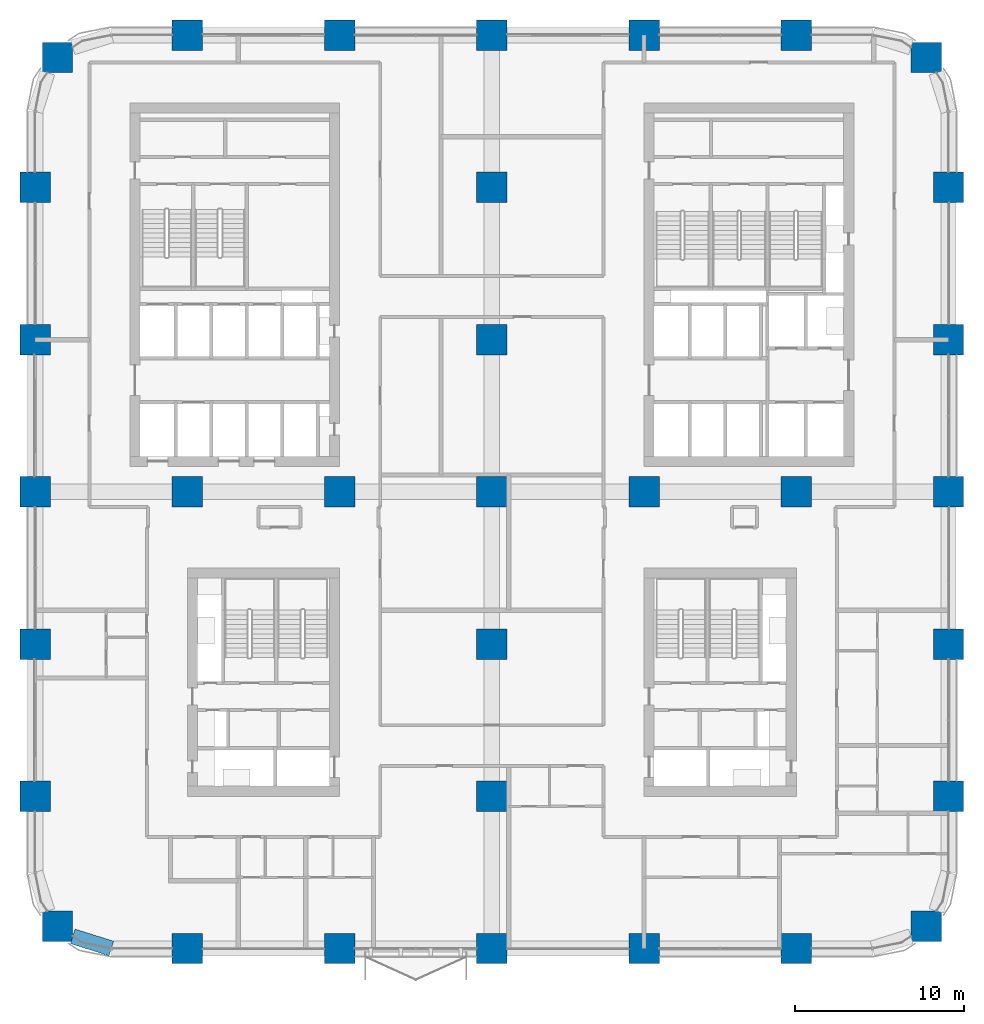
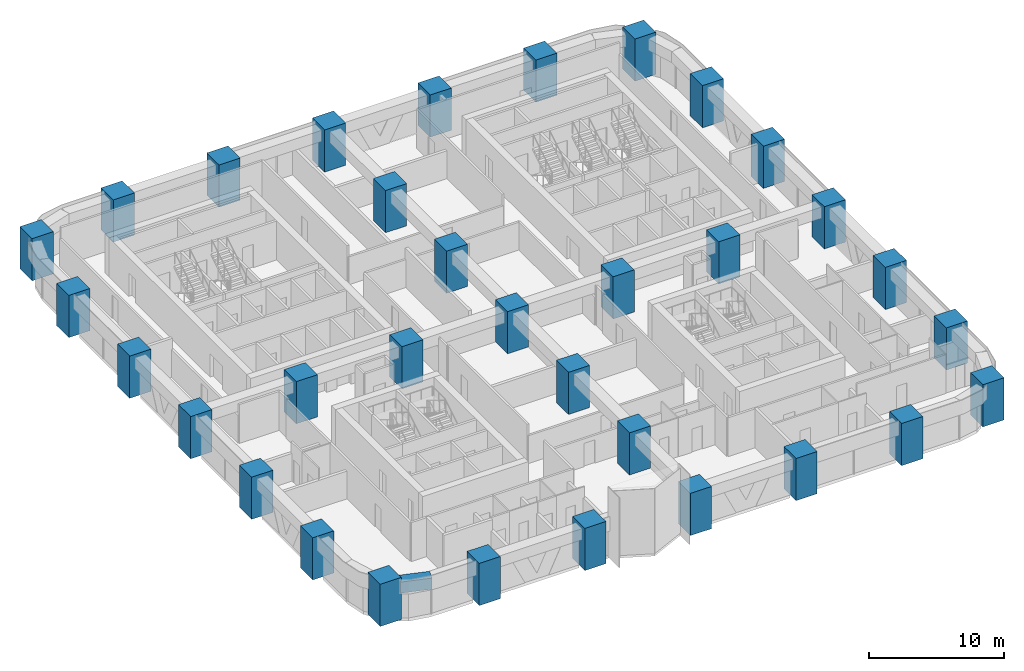
# One storey, part 1 of 24: 33 columns, 1 beam.
"""IFC4 building model written with IfcOpenShell, lengths in metres."""

from ifc_helpers import new_model, si_unit, direction, frame, origin, origin_2d, place, context, subcontext, project, spatial, rectangle, extrude, material, material_profile, profile_set, type_object, element, save


model = new_model("IFC4")

# Units and contexts
model_context = context("Model", 3, precision=1e-05, world=origin(), true_north=direction((0.0, 1.0)))
body_context = subcontext(model_context, "Body", "Model", "MODEL_VIEW")
ifc_project = project(units=[si_unit("LENGTHUNIT", "METRE"), si_unit("AREAUNIT", "SQUARE_METRE"), si_unit("VOLUMEUNIT", "CUBIC_METRE"), si_unit("PLANEANGLEUNIT", "RADIAN"), si_unit("MASSUNIT", "GRAM", prefix="KILO")], contexts=[model_context])

# Site, building, storey
site_placement = place(None, origin())
site = spatial("IfcSite", under=ifc_project, at=site_placement, CompositionType="ELEMENT")
building_placement = place(site_placement, origin())
building = spatial("IfcBuilding", under=site, at=building_placement, Name="Tessera Arch", CompositionType="ELEMENT")
storey_placement = place(building_placement, frame((0.0, 0.0, 38.60009765625)))
storey = spatial("IfcBuildingStorey", under=building, at=storey_placement, Name="L07", CompositionType="ELEMENT", Elevation=38.60009765625)

# Columns
ifc_material_1 = material(Name="Concrete C80/95", Category="concrete")
ifc_material_profile_1 = material_profile(ifc_material_1, rectangle(XDim=1.800048828125, YDim=1.800048828125, at=origin_2d()), Name="RC column 1800 x 1800 Concrete C80/95")
ifc_profile_set_1 = profile_set([ifc_material_profile_1], Name="Concrete C80/95")
column_type = type_object("IfcColumnType", Name="RC column 1800 x 1800 Concrete C80/95", PredefinedType="COLUMN", material=ifc_profile_set_1)
for number, where, z_axis, x_axis, name in (
    (1, (1.318115234375, 1.318115234375, 0.0), (0.0, 0.0, 1.0), (1.0, 0.0, 0.0), "Column C1A L07"),
    (2, (0.0, 9.0, 0.0), (0.0, 0.0, 1.0), (1.0, 0.0, 0.0), "Column C1B L07"),
    (3, (0.0, 18.0, 0.0), (0.0, 0.0, 1.0), (1.0, 0.0, 0.0), "Column C1C L07"),
    (4, (0.0, 27.0, 0.0), (0.0, 0.0, 1.0), (1.0, 0.0, 0.0), "Column C1D L07"),
    (5, (0.0, 36.0, 0.0), (0.0, 0.0, 1.0), (1.0, 0.0, 0.0), "Column C1E L07"),
    (6, (0.0, 45.0, 0.0), (0.0, 0.0, 1.0), (1.0, 0.0, 0.0), "Column C1F L07"),
    (7, (1.318115234375, 52.681884765625, 0.0), (0.0, 0.0, 1.0), (1.0, 0.0, 0.0), "Column C1G L07"),
    (8, (9.0, 0.0, 0.0), (0.0, 0.0, 1.0), (1.0, 0.0, 0.0), "Column C2A L07"),
    (9, (9.0, 27.0, 0.0), (0.0, 0.0, 1.0), (1.0, 0.0, 0.0), "Column C2D L07"),
    (10, (9.0, 54.0, 0.0), (0.0, 0.0, 1.0), (1.0, 0.0, 0.0), "Column C2G L07"),
    (11, (18.0, 0.0, 0.0), (0.0, 0.0, 1.0), (1.0, 0.0, 0.0), "Column C3A L07"),
    (12, (18.0, 27.0, 0.0), (0.0, 0.0, 1.0), (1.0, 0.0, 0.0), "Column C3D L07"),
    (13, (18.0, 54.0, 0.0), (0.0, 0.0, 1.0), (1.0, 0.0, 0.0), "Column C3G L07"),
    (14, (27.0, 0.0, 0.0), (0.0, 0.0, 1.0), (1.0, 0.0, 0.0), "Column C4A L07"),
    (15, (27.0, 9.0, 0.0), (0.0, 0.0, 1.0), (1.0, 0.0, 0.0), "Column C4B L07"),
    (16, (27.0, 18.0, 0.0), (0.0, 0.0, 1.0), (1.0, 0.0, 0.0), "Column C4C L07"),
    (17, (27.0, 27.0, 0.0), (0.0, 0.0, 1.0), (1.0, 0.0, 0.0), "Column C4D L07"),
    (18, (27.0, 36.0, 0.0), (0.0, 0.0, 1.0), (1.0, 0.0, 0.0), "Column C4E L07"),
    (19, (27.0, 45.0, 0.0), (0.0, 0.0, 1.0), (1.0, 0.0, 0.0), "Column C4F L07"),
    (20, (27.0, 54.0, 0.0), (0.0, 0.0, 1.0), (1.0, 0.0, 0.0), "Column C4G L07"),
    (21, (36.0, 0.0, 0.0), (0.0, 0.0, 1.0), (1.0, 0.0, 0.0), "Column C5A L07"),
    (22, (36.0, 27.0, 0.0), (0.0, 0.0, 1.0), (1.0, 0.0, 0.0), "Column C5D L07"),
    (23, (36.0, 54.0, 0.0), (0.0, 0.0, 1.0), (1.0, 0.0, 0.0), "Column C5G L07"),
    (24, (45.0, 0.0, 0.0), (0.0, 0.0, 1.0), (1.0, 0.0, 0.0), "Column C6A L07"),
    (25, (45.0, 27.0, 0.0), (0.0, 0.0, 1.0), (1.0, 0.0, 0.0), "Column C6D L07"),
    (26, (45.0, 54.0, 0.0), (0.0, 0.0, 1.0), (1.0, 0.0, 0.0), "Column C6G L07"),
    (27, (52.681884765625, 1.318115234375, 0.0), (0.0, 0.0, 1.0), (1.0, 0.0, 0.0), "Column C7A L07"),
    (28, (54.0, 9.0, 0.0), (0.0, 0.0, 1.0), (1.0, 0.0, 0.0), "Column C7B L07"),
    (29, (54.0, 18.0, 0.0), (0.0, 0.0, 1.0), (1.0, 0.0, 0.0), "Column C7C L07"),
    (30, (54.0, 27.0, 0.0), (0.0, 0.0, 1.0), (1.0, 0.0, 0.0), "Column C7D L07"),
    (31, (54.0, 36.0, 0.0), (0.0, 0.0, 1.0), (1.0, 0.0, 0.0), "Column C7E L07"),
    (32, (54.0, 45.0, 0.0), (0.0, 0.0, 1.0), (1.0, 0.0, 0.0), "Column C7F L07"),
    (33, (52.681884765625, 52.681884765625, 0.0), (0.0, 0.0, 1.0), (1.0, 0.0, 0.0), "Column C7G L07"),
):
    element("IfcColumn", number, at=place(storey_placement, frame(where, z_axis=z_axis, x_axis=x_axis)), inside=storey, type_object=column_type, Name=name, PredefinedType="COLUMN", context=body_context, shape_type="SweptSolid", body=[
        extrude(rectangle(XDim=1.800048828125, YDim=1.800048828125, at=origin_2d()), origin(), (0.0, 0.0, 1.0), 3.7998046875),
    ])

# Beam
ifc_material_2 = material(Name="Concrete C80/95", Category="concrete")
ifc_material_profile_2 = material_profile(ifc_material_2, rectangle(XDim=0.89990234375, YDim=1.0, at=origin_2d()), Name="RC spandrel beam 900 x 1000 Concrete C80/95")
ifc_profile_set_2 = profile_set([ifc_material_profile_2], Name="Concrete C80/95")
beam_type = type_object("IfcBeamType", Name="RC spandrel beam 900 x 1000 Concrete C80/95", PredefinedType="BEAM", material=ifc_profile_set_2)
beam_placement = place(storey_placement, frame((2.218017578125, 0.716796875, 3.0), z_axis=(0.954041251279, -0.299675309057, 0.0), x_axis=(0.299675309057, 0.954041251279, 0.0)))
element("IfcBeam", 34, at=beam_placement, inside=storey, type_object=beam_type, Name="Spandrel beam L07 S0.0/5.1", PredefinedType="BEAM", context=body_context, shape_type="SweptSolid", body=[
    extrude(rectangle(XDim=0.89990234375, YDim=1.0, at=origin_2d()), origin(), (0.0, 0.0, 1.0), 2.391845703125),
])

save(model, "model.ifc")
